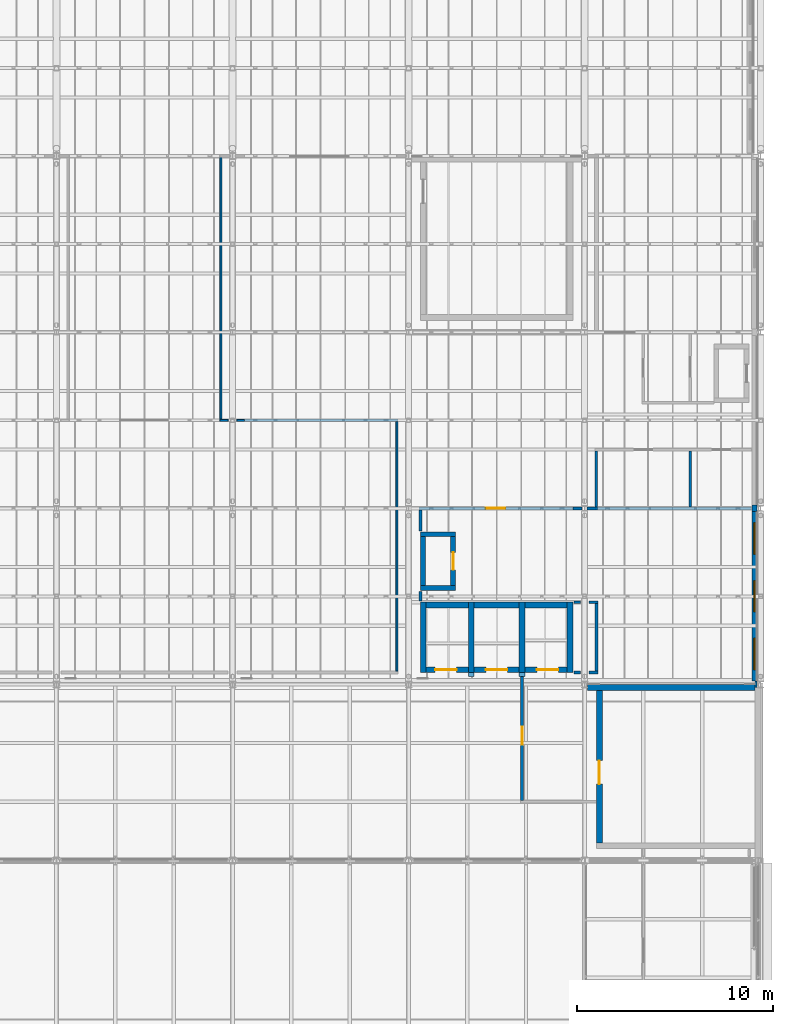
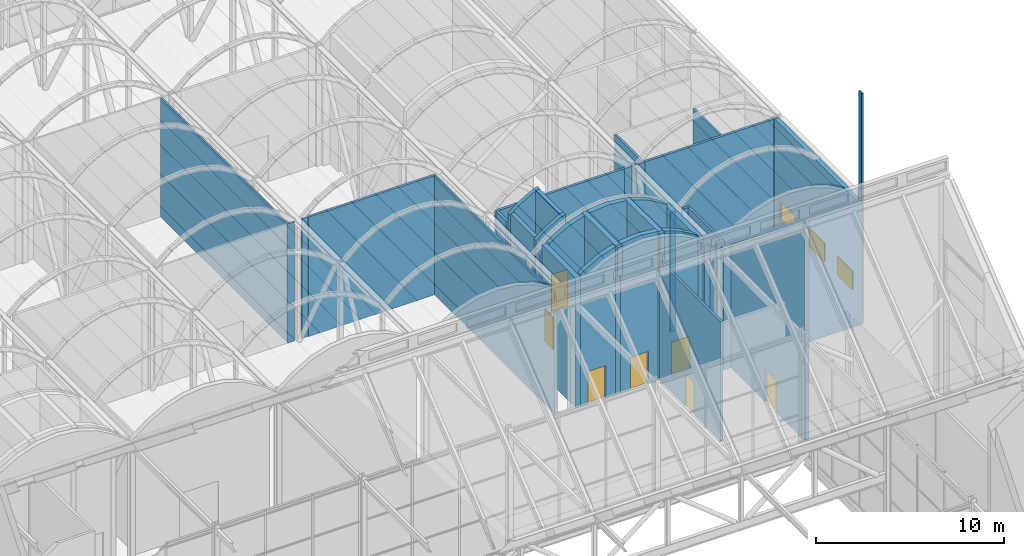
# One storey, part 130 of 144: 40 walls, 7 doors, 3 windows, 10 openings.
"""IFC4 building model written with IfcOpenShell, lengths in metres."""

import ifcopenshell
import ifcopenshell.guid

model = None  # the IFC model being written
_history = None  # IfcOwnerHistory: only IFC2X3 demands one
_inside = {}  # id of a spatial element -> (the spatial element, [elements in it])
_under = {}  # id of a project, library or spatial element -> (it, [spatial elements below it])
_declared = {}  # id of a project -> (the project, [libraries it declares])
_typed = {}  # id of a type object -> (the type object, [elements of that type])
_made_of = {}  # id of a material, layer set ... -> (it, [elements and type objects made of it])


def new_model(schema):
    """Start an empty IFC model of exactly this schema.

    Asked for "IFC4X3", IfcOpenShell would pick the latest addendum, in which some entities
    have other attributes; the version numbers below select the first issue.
    IFC2X3 requires an IfcOwnerHistory on every rooted entity: one is made here for all.
    """
    global model, _history
    if schema == "IFC4X3":
        model = ifcopenshell.file(schema_version=(4, 3, 0, 0))
    else:
        model = ifcopenshell.file(schema=schema)
    _inside.clear()
    _under.clear()
    _declared.clear()
    _typed.clear()
    _made_of.clear()
    _history = None
    if model.schema == "IFC2X3":
        org = make("IfcOrganization", Name="unknown")
        user = make(
            "IfcPersonAndOrganization",
            ThePerson=make("IfcPerson", FamilyName="unknown"),
            TheOrganization=org,
        )
        app = make(
            "IfcApplication",
            ApplicationDeveloper=org,
            Version="unknown",
            ApplicationFullName="unknown",
            ApplicationIdentifier="unknown",
        )
        _history = make(
            "IfcOwnerHistory",
            OwningUser=user,
            OwningApplication=app,
            ChangeAction="ADDED",
            CreationDate=0,
        )
    return model


def make(cls, **values):
    """One entity of the class cls with the attributes given. An attribute that is None is left unset."""
    return model.create_entity(
        cls, **{name: value for name, value in values.items() if value is not None}
    )


def rooted(cls, **values):
    """An entity with a GlobalId (a new one), such as an element, a storey or a relation."""
    return make(cls, GlobalId=ifcopenshell.guid.new(), OwnerHistory=_history, **values)


def si_unit(unit_type, name, prefix=None):
    """IfcSIUnit, for example si_unit("LENGTHUNIT", "METRE", prefix="MILLI")."""
    return make("IfcSIUnit", UnitType=unit_type, Prefix=prefix, Name=name)


def assignment(units):
    """IfcUnitAssignment: the units of a project."""
    return None if units is None else make("IfcUnitAssignment", Units=units)


def point(xyz):
    """IfcCartesianPoint."""
    return None if xyz is None else make("IfcCartesianPoint", Coordinates=xyz)


def direction(xyz):
    """IfcDirection."""
    return None if xyz is None else make("IfcDirection", DirectionRatios=xyz)


def frame(location, z_axis=None, x_axis=None):
    """IfcAxis2Placement3D, a coordinate frame: its origin and axes. An axis left out is left unset."""
    return make(
        "IfcAxis2Placement3D",
        Location=point(location),
        Axis=direction(z_axis),
        RefDirection=direction(x_axis),
    )


def frame_2d(location, x_axis=None):
    """IfcAxis2Placement2D, a coordinate frame in the plane: its origin and x axis."""
    return make(
        "IfcAxis2Placement2D", Location=point(location), RefDirection=direction(x_axis)
    )


def origin():
    """The frame at (0, 0, 0) with its axes left unset."""
    return frame((0.0, 0.0, 0.0))


def place(relative_to, where):
    """IfcLocalPlacement: puts the frame where relative to a parent placement (None: the world)."""
    return make(
        "IfcLocalPlacement", PlacementRelTo=relative_to, RelativePlacement=where
    )


def context(
    kind, dimensions, precision=None, world=None, true_north=None, identifier=None
):
    """IfcGeometricRepresentationContext, for example the 3D "Model" context."""
    return make(
        "IfcGeometricRepresentationContext",
        ContextIdentifier=identifier,
        ContextType=kind,
        CoordinateSpaceDimension=dimensions,
        Precision=precision,
        WorldCoordinateSystem=world,
        TrueNorth=true_north,
    )


def subcontext(parent, identifier, kind, view, scale=None):
    """IfcGeometricRepresentationSubContext, for example "Body" below "Model"."""
    return make(
        "IfcGeometricRepresentationSubContext",
        ContextIdentifier=identifier,
        ContextType=kind,
        ParentContext=parent,
        TargetScale=scale,
        TargetView=view,
    )


def project(units=None, contexts=None):
    """IfcProject with its units and contexts."""
    return rooted(
        "IfcProject",
        Name="project",
        RepresentationContexts=contexts,
        UnitsInContext=assignment(units),
    )


def spatial(cls, under=None, at=None, **own):
    """A site, building, storey or space (cls), placed at a placement, below another one or the project."""
    s = rooted(cls, ObjectPlacement=at, **own)
    if under is not None:
        _under.setdefault(under.id(), (under, []))[1].append(s)
    return s


def polyline(points):
    """IfcPolyline through the points."""
    return make("IfcPolyline", Points=[point(p) for p in points])


def profile(cls, at=None, kind="AREA", **sizes):
    """A parametric profile (cls). Its sizes go by their IFC names, for example OverallWidth=200.0."""
    return make(cls, ProfileType=kind, Position=at, **sizes)


def rectangle(**sizes):
    """IfcRectangleProfileDef."""
    return profile("IfcRectangleProfileDef", **sizes)


def outline(outer, holes=None, kind="AREA"):
    """IfcArbitraryClosedProfileDef: a profile drawn as a closed curve; with holes, ...WithVoids."""
    if holes is None:
        return make("IfcArbitraryClosedProfileDef", ProfileType=kind, OuterCurve=outer)
    return make(
        "IfcArbitraryProfileDefWithVoids",
        ProfileType=kind,
        OuterCurve=outer,
        InnerCurves=holes,
    )


def extrude(swept, where, along, depth):
    """IfcExtrudedAreaSolid: the profile swept, set in the frame where, extruded along a direction by depth."""
    return make(
        "IfcExtrudedAreaSolid",
        SweptArea=swept,
        Position=where,
        ExtrudedDirection=direction(along),
        Depth=depth,
    )


def shape(context_of_items, identifier, shape_type, items):
    """IfcShapeRepresentation: the items that make up one representation, for example the "Body"."""
    return make(
        "IfcShapeRepresentation",
        ContextOfItems=context_of_items,
        RepresentationIdentifier=identifier,
        RepresentationType=shape_type,
        Items=items,
    )


def material(Name=None, Category=None):
    """IfcMaterial."""
    return make("IfcMaterial", Name=Name, Category=Category)


def layer(
    of_material, thickness, ventilated=None, Name=None, Category=None, Priority=None
):
    """IfcMaterialLayer: one layer of a wall or slab, of a material (None: an air gap)."""
    return make(
        "IfcMaterialLayer",
        Material=of_material,
        LayerThickness=thickness,
        IsVentilated=ventilated,
        Name=Name,
        Category=Category,
        Priority=Priority,
    )


def layer_set(layers, Name=None):
    """IfcMaterialLayerSet."""
    return make("IfcMaterialLayerSet", MaterialLayers=layers, LayerSetName=Name)


def made_of(thing, what):
    """Note that an element or type object is made of a material, layer set ...; save() writes the relation."""
    if what is not None:
        _made_of.setdefault(what.id(), (what, []))[1].append(thing)
    return thing


def type_object(cls, material=None, **own):
    """A type object (cls), such as IfcWallType, which elements share."""
    return made_of(rooted(cls, **own), material)


def element(
    cls,
    number,
    at=None,
    inside=None,
    cuts=None,
    type_object=None,
    material=None,
    context=None,
    identifier="Body",
    shape_type=None,
    held_by="IfcProductDefinitionShape",
    body=None,
    shapes=None,
    **own,
):
    """One element of the class cls, such as IfcWall. Its Tag is "e" and its number.

    at: its placement. inside: the storey or other place that contains it. cuts: it is an
    opening in that element (IfcRelVoidsElement). A single representation is given by context,
    identifier, shape_type and body (its items); several are given by shapes. held_by: the class
    of the entity that holds the representations. save() writes the other relations.
    """
    e = rooted(cls, Tag="e%d" % number, ObjectPlacement=at, **own)
    if body is not None:
        shapes = [shape(context, identifier, shape_type, body)]
    if shapes is not None:
        e.Representation = make(held_by, Representations=shapes)
    if inside is not None:
        _inside.setdefault(inside.id(), (inside, []))[1].append(e)
    if cuts is not None:
        rooted(
            "IfcRelVoidsElement", RelatingBuildingElement=cuts, RelatedOpeningElement=e
        )
    if type_object is not None:
        _typed.setdefault(type_object.id(), (type_object, []))[1].append(e)
    return made_of(e, material)


def fill(opening, filler):
    """IfcRelFillsElement: the door or window that sits in an opening."""
    return rooted(
        "IfcRelFillsElement",
        RelatingOpeningElement=opening,
        RelatedBuildingElement=filler,
    )


def aggregate(whole, parts):
    """IfcRelAggregates: a whole, such as a stair, and the parts it consists of."""
    return rooted("IfcRelAggregates", RelatingObject=whole, RelatedObjects=parts)


def save(model, path):
    """Write the relations noted so far, then the file.

    IfcRelAggregates (storeys below a building ...), IfcRelContainedInSpatialStructure (elements
    in a storey), IfcRelDefinesByType, IfcRelAssociatesMaterial and IfcRelDeclares: one each for
    every whole, place, type object, material and project.
    """
    for whole, parts in _under.values():
        aggregate(whole, parts)
    for where, things in _inside.values():
        rooted(
            "IfcRelContainedInSpatialStructure",
            RelatedElements=things,
            RelatingStructure=where,
        )
    for kind, things in _typed.values():
        rooted("IfcRelDefinesByType", RelatedObjects=things, RelatingType=kind)
    for what, things in _made_of.values():
        rooted("IfcRelAssociatesMaterial", RelatedObjects=things, RelatingMaterial=what)
    for by, libraries in _declared.values():
        rooted("IfcRelDeclares", RelatingContext=by, RelatedDefinitions=libraries)
    model.write(path)


model = new_model("IFC4")

# Units and contexts
model_context = context("Model", 3, precision=1e-05, world=origin(), true_north=direction((0.0, 1.0)))
body_context = subcontext(model_context, "Body", "Model", "MODEL_VIEW")
ifc_project = project(units=[si_unit("LENGTHUNIT", "METRE"), si_unit("AREAUNIT", "SQUARE_METRE"), si_unit("VOLUMEUNIT", "CUBIC_METRE"), si_unit("PLANEANGLEUNIT", "RADIAN"), si_unit("MASSUNIT", "GRAM", prefix="KILO")], contexts=[model_context])

# Site, building, storey
site_placement = place(None, origin())
site = spatial("IfcSite", under=ifc_project, at=site_placement, CompositionType="ELEMENT")
building_placement = place(site_placement, origin())
building = spatial("IfcBuilding", under=site, at=building_placement, Name="Shorebreak Coast Museum", CompositionType="ELEMENT")
storey_placement = place(building_placement, frame((0.0, 0.0, 36.0)))
storey = spatial("IfcBuildingStorey", under=building, at=storey_placement, Name="L06", CompositionType="ELEMENT", Elevation=36.0)

# Walls
ifc_material_1 = material(Name="Concrete N50 (50 MPa)", Category="concrete")
ifc_layer_1 = layer(ifc_material_1, 0.1064453125)
ifc_layer_set_1 = layer_set([ifc_layer_1], Name="Concrete N50 (50 MPa)")
wall_type_1 = type_object("IfcWallType", Name="Column closure panel 106", PredefinedType="SOLIDWALL", material=ifc_layer_set_1)
wall_1_placement = place(storey_placement, frame((116.753173828125, 89.83642578125, 0.0), z_axis=(0.0, 0.0, 1.0), x_axis=(0.0, 1.0, 0.0)))
element("IfcWall", 1, at=wall_1_placement, inside=storey, type_object=wall_type_1, Name="Column closure panel L06 E 14L", PredefinedType="SOLIDWALL", context=body_context, shape_type="SweptSolid", body=[
    extrude(rectangle(XDim=0.3271484375, YDim=0.1064453125, at=frame_2d((0.16357421875, 0.0))), origin(), (0.0, 0.0, 1.0), 14.843994140625),
])
ifc_material_2 = material(Name="Concrete N50 (50 MPa)", Category="concrete")
ifc_layer_2 = layer(ifc_material_2, 0.25)
ifc_layer_set_2 = layer_set([ifc_layer_2], Name="Concrete N50 (50 MPa)")
wall_type_2 = type_object("IfcWallType", Name="Column closure panel 250", PredefinedType="SOLIDWALL", material=ifc_layer_set_2)
wall_2_placement = place(storey_placement, frame((116.681396484375, 98.839111328125, 0.0), z_axis=(0.0, 0.0, 1.0), x_axis=(0.0, 1.0, 0.0)))
element("IfcWall", 2, at=wall_2_placement, inside=storey, type_object=wall_type_2, Name="Column closure panel L06 E 14M", PredefinedType="SOLIDWALL", context=body_context, shape_type="SweptSolid", body=[
    extrude(rectangle(XDim=0.32177734375, YDim=0.25, at=frame_2d((0.160888671875, 0.0))), origin(), (0.0, 0.0, 1.0), 7.800048828125),
])
ifc_material_3 = material(Name="Plasterboard on steel stud", Category="steel")
ifc_layer_3 = layer(ifc_material_3, 0.14990234375)
ifc_layer_set_3 = layer_set([ifc_layer_3], Name="Plasterboard on steel stud")
wall_type_3 = type_object("IfcWallType", Name="Fire partition 150", PredefinedType="PARTITIONING", material=ifc_layer_set_3)
wall_3_placement = place(storey_placement, frame((107.449951171875, 90.60009765625, 0.0), z_axis=(0.0, 0.0, 1.0), x_axis=(1.0, 0.0, 0.0)))
element("IfcWall", 3, at=wall_3_placement, inside=storey, type_object=wall_type_3, Name="Partition L06-011", PredefinedType="PARTITIONING", context=body_context, shape_type="SweptSolid", body=[
    extrude(rectangle(XDim=0.330078125, YDim=0.14990234375, at=frame_2d((0.1650390625, 0.0))), origin(), (0.0, 0.0, 1.0), 7.73095703125),
])
wall_4_placement = place(storey_placement, frame((108.219970703125, 90.60009765625, 0.0), z_axis=(0.0, 0.0, 1.0), x_axis=(1.0, 0.0, 0.0)))
element("IfcWall", 4, at=wall_4_placement, inside=storey, type_object=wall_type_3, Name="Partition L06-012", PredefinedType="PARTITIONING", context=body_context, shape_type="SweptSolid", body=[
    extrude(rectangle(XDim=0.455078125, YDim=0.14990234375, at=frame_2d((0.2275390625, 0.0))), origin(), (0.0, 0.0, 1.0), 7.73095703125),
])
wall_5_placement = place(storey_placement, frame((107.449951171875, 94.199951171875, 0.0), z_axis=(0.0, 0.0, 1.0), x_axis=(1.0, 0.0, 0.0)))
element("IfcWall", 5, at=wall_5_placement, inside=storey, type_object=wall_type_3, Name="Partition L06-015", PredefinedType="PARTITIONING", context=body_context, shape_type="SweptSolid", body=[
    extrude(rectangle(XDim=0.330078125, YDim=0.14990234375, at=frame_2d((0.1650390625, 0.0))), origin(), (0.0, 0.0, 1.0), 7.73095703125),
])
wall_6_placement = place(storey_placement, frame((108.219970703125, 94.199951171875, 0.0), z_axis=(0.0, 0.0, 1.0), x_axis=(1.0, 0.0, 0.0)))
element("IfcWall", 6, at=wall_6_placement, inside=storey, type_object=wall_type_3, Name="Partition L06-016", PredefinedType="PARTITIONING", context=body_context, shape_type="SweptSolid", body=[
    extrude(rectangle(XDim=0.455078125, YDim=0.14990234375, at=frame_2d((0.2275390625, 0.0))), origin(), (0.0, 0.0, 1.0), 7.73095703125),
])

# Wall, opening, door
wall_7_placement = place(storey_placement, frame((99.52490234375, 99.0, 0.0), z_axis=(0.0, 0.0, 1.0), x_axis=(1.0, 0.0, 0.0)))
wall_7 = element("IfcWall", 7, at=wall_7_placement, inside=storey, type_object=wall_type_3, Name="Partition L06-021", PredefinedType="PARTITIONING", context=body_context, shape_type="SweptSolid", body=[
    extrude(rectangle(XDim=7.875, YDim=0.14990234375, at=frame_2d((3.9375, 0.0))), origin(), (0.0, 0.0, 1.0), 7.73095703125),
])
opening_1_placement = place(wall_7_placement, frame((3.425048828125, 0.0, 0.0)))
opening_1 = element("IfcOpeningElement", 8, at=opening_1_placement, cuts=wall_7, Name="Opening D6009", PredefinedType="OPENING", context=body_context, shape_type="SweptSolid", body=[
    extrude(rectangle(XDim=1.0, YDim=2.39990234375, at=frame_2d((0.5, 1.199951171875))), frame((0.0, 0.0849609375, 0.0), z_axis=(0.0, -1.0, 0.0), x_axis=(1.0, 0.0, 0.0)), (0.0, 0.0, 1.0), 0.169921875),
])
ifc_material_4 = material(Name="Steel", Category="steel")
door_type_1 = type_object("IfcDoorType", Name="Fire door 1000x2400 60", OperationType="SINGLE_SWING_LEFT", PredefinedType="DOOR", material=ifc_material_4)
door_1_placement = place(opening_1_placement, origin())
door_1 = element("IfcDoor", 9, at=door_1_placement, inside=storey, type_object=door_type_1, Name="Door D6009 Lift Services Room E", OperationType="SINGLE_SWING_LEFT", OverallHeight=2.39990234375, OverallWidth=1.0, PredefinedType="DOOR", context=body_context, shape_type="SweptSolid", body=[
    extrude(rectangle(XDim=1.0, YDim=2.39990234375, at=frame_2d((0.5, 1.199951171875))), frame((0.0, 0.02490234375, 0.0), z_axis=(0.0, -1.0, 0.0), x_axis=(1.0, 0.0, 0.0)), (0.0, 0.0, 1.0), 0.050048828125),
])
fill(opening_1, door_1)

# Walls
wall_8_placement = place(storey_placement, frame((107.400390625, 99.0, 0.0), z_axis=(0.0, 0.0, 1.0), x_axis=(1.0, 0.0, 0.0)))
element("IfcWall", 10, at=wall_8_placement, inside=storey, type_object=wall_type_3, Name="Partition L06-022", PredefinedType="PARTITIONING", context=body_context, shape_type="SweptSolid", body=[
    extrude(rectangle(XDim=0.47265625, YDim=0.14990234375, at=frame_2d((0.236328125, 0.0))), origin(), (0.0, 0.0, 1.0), 7.73095703125),
])
wall_9_placement = place(storey_placement, frame((108.126953125, 99.0, 0.0), z_axis=(0.0, 0.0, 1.0), x_axis=(1.0, 0.0, 0.0)))
element("IfcWall", 11, at=wall_9_placement, inside=storey, type_object=wall_type_3, Name="Partition L06-023", PredefinedType="PARTITIONING", context=body_context, shape_type="SweptSolid", body=[
    extrude(rectangle(XDim=0.53515625, YDim=0.14990234375, at=frame_2d((0.267578125, 0.0))), origin(), (0.0, 0.0, 1.0), 7.73095703125),
])
wall_10_placement = place(storey_placement, frame((108.53759765625, 99.0, 0.0), z_axis=(0.0, 0.0, 1.0), x_axis=(1.0, 0.0, 0.0)))
element("IfcWall", 12, at=wall_10_placement, inside=storey, type_object=wall_type_3, Name="Partition L06-024", PredefinedType="PARTITIONING", context=body_context, shape_type="SweptSolid", body=[
    extrude(rectangle(XDim=7.993896484375, YDim=0.14990234375, at=frame_2d((3.9970703125, 0.0))), origin(), (0.0, 0.0, 1.0), 7.73095703125),
])
wall_11_placement = place(storey_placement, frame((90.60009765625, 103.5, 0.0), z_axis=(0.0, 0.0, 1.0), x_axis=(1.0, 0.0, 0.0)))
element("IfcWall", 13, at=wall_11_placement, inside=storey, type_object=wall_type_3, Name="Partition L06-033", PredefinedType="PARTITIONING", context=body_context, shape_type="SweptSolid", body=[
    extrude(rectangle(XDim=7.849853515625, YDim=0.14990234375, at=frame_2d((3.9248046875, 0.0))), origin(), (0.0, 0.0, 1.0), 7.73095703125),
])
wall_12_placement = place(storey_placement, frame((99.60009765625, 94.25, 0.0), z_axis=(0.0, 0.0, 1.0), x_axis=(0.0, 1.0, 0.0)))
element("IfcWall", 14, at=wall_12_placement, inside=storey, type_object=wall_type_3, Name="Partition L06-070", PredefinedType="PARTITIONING", context=body_context, shape_type="SweptSolid", body=[
    extrude(rectangle(XDim=0.5, YDim=0.14990234375, at=frame_2d((0.25, 0.0))), origin(), (0.0, 0.0, 1.0), 7.73095703125),
])
wall_13_placement = place(storey_placement, frame((99.60009765625, 97.85009765625, 0.0), z_axis=(0.0, 0.0, 1.0), x_axis=(0.0, 1.0, 0.0)))
element("IfcWall", 15, at=wall_13_placement, inside=storey, type_object=wall_type_3, Name="Partition L06-071", PredefinedType="PARTITIONING", context=body_context, shape_type="SweptSolid", body=[
    extrude(rectangle(XDim=1.074951171875, YDim=0.14990234375, at=frame_2d((0.53759765625, 0.0))), origin(), (0.0, 0.0, 1.0), 7.73095703125),
])

# Wall, opening, door
wall_14_placement = place(storey_placement, frame((104.800048828125, 84.074951171875, 0.0), z_axis=(0.0, 0.0, 1.0), x_axis=(0.0, 1.0, 0.0)))
wall_14 = element("IfcWall", 16, at=wall_14_placement, inside=storey, type_object=wall_type_3, Name="Partition L06-073", PredefinedType="PARTITIONING", context=body_context, shape_type="SweptSolid", body=[
    extrude(rectangle(XDim=6.525146484375, YDim=0.14990234375, at=frame_2d((3.2626953125, 0.0))), origin(), (0.0, 0.0, 1.0), 7.743896484375),
])
opening_2_placement = place(wall_14_placement, frame((2.85009765625, 0.0, 0.0)))
opening_2 = element("IfcOpeningElement", 17, at=opening_2_placement, cuts=wall_14, Name="Opening D6002", PredefinedType="OPENING", context=body_context, shape_type="SweptSolid", body=[
    extrude(rectangle(XDim=0.89990234375, YDim=2.10009765625, at=frame_2d((0.449951171875, 1.050048828125))), frame((0.0, 0.0849609375, 0.0), z_axis=(0.0, -1.0, 0.0), x_axis=(1.0, 0.0, 0.0)), (0.0, 0.0, 1.0), 0.169921875),
])
ifc_material_5 = material(Name="Steel", Category="steel")
door_type_2 = type_object("IfcDoorType", Name="Fire door 900x2100 60", OperationType="SINGLE_SWING_LEFT", PredefinedType="DOOR", material=ifc_material_5)
door_2_placement = place(opening_2_placement, origin())
door_2 = element("IfcDoor", 18, at=door_2_placement, inside=storey, type_object=door_type_2, Name="Door D6002 Firefighting Lift Lobby E", OperationType="SINGLE_SWING_RIGHT", OverallHeight=2.10009765625, OverallWidth=0.89990234375, PredefinedType="DOOR", context=body_context, shape_type="SweptSolid", body=[
    extrude(rectangle(XDim=0.89990234375, YDim=2.10009765625, at=frame_2d((0.449951171875, 1.050048828125))), frame((0.0, 0.02490234375, 0.0), z_axis=(0.0, -1.0, 0.0), x_axis=(1.0, 0.0, 0.0)), (0.0, 0.0, 1.0), 0.050048828125),
])
fill(opening_2, door_2)

# Walls
wall_15_placement = place(storey_placement, frame((108.60009765625, 90.675048828125, 0.0), z_axis=(0.0, 0.0, 1.0), x_axis=(0.0, 1.0, 0.0)))
element("IfcWall", 19, at=wall_15_placement, inside=storey, type_object=wall_type_3, Name="Partition L06-074", PredefinedType="PARTITIONING", context=body_context, shape_type="SweptSolid", body=[
    extrude(rectangle(XDim=3.449951171875, YDim=0.14990234375, at=frame_2d((1.72509765625, 0.0))), origin(), (0.0, 0.0, 1.0), 7.73095703125),
])
ifc_material_6 = material(Name="Plasterboard on steel stud", Category="steel")
ifc_layer_4 = layer(ifc_material_6, 0.10009765625)
ifc_layer_set_4 = layer_set([ifc_layer_4], Name="Plasterboard on steel stud")
wall_type_4 = type_object("IfcWallType", Name="Partition 100", PredefinedType="PARTITIONING", material=ifc_layer_set_4)
wall_16_placement = place(storey_placement, frame((89.3505859375, 103.5, 0.0), z_axis=(0.0, 0.0, 1.0), x_axis=(1.0, 0.0, 0.0)))
element("IfcWall", 20, at=wall_16_placement, inside=storey, type_object=wall_type_4, Name="Partition L06-031", PredefinedType="PARTITIONING", context=body_context, shape_type="SweptSolid", body=[
    extrude(rectangle(XDim=0.429443359375, YDim=0.10009765625, at=frame_2d((0.21484375, 0.0))), origin(), (0.0, 0.0, 1.0), 7.73095703125),
])
wall_17_placement = place(storey_placement, frame((90.219970703125, 103.5, 0.0), z_axis=(0.0, 0.0, 1.0), x_axis=(1.0, 0.0, 0.0)))
element("IfcWall", 21, at=wall_17_placement, inside=storey, type_object=wall_type_4, Name="Partition L06-032", PredefinedType="PARTITIONING", context=body_context, shape_type="SweptSolid", body=[
    extrude(rectangle(XDim=0.379638671875, YDim=0.10009765625, at=frame_2d((0.18994140625, 0.0))), origin(), (0.0, 0.0, 1.0), 7.73095703125),
])
wall_18_placement = place(storey_placement, frame((89.39990234375, 103.550048828125, 0.0), z_axis=(0.0, 0.0, 1.0), x_axis=(0.0, 1.0, 0.0)))
element("IfcWall", 22, at=wall_18_placement, inside=storey, type_object=wall_type_4, Name="Partition L06-068", PredefinedType="PARTITIONING", context=body_context, shape_type="SweptSolid", body=[
    extrude(rectangle(XDim=13.39990234375, YDim=0.10009765625, at=frame_2d((6.699951171875, 0.0))), origin(), (0.0, 0.0, 1.0), 7.73095703125),
])
wall_19_placement = place(storey_placement, frame((98.39990234375, 90.675048828125, 0.0), z_axis=(0.0, 0.0, 1.0), x_axis=(0.0, 1.0, 0.0)))
element("IfcWall", 23, at=wall_19_placement, inside=storey, type_object=wall_type_4, Name="Partition L06-069", PredefinedType="PARTITIONING", context=body_context, shape_type="SweptSolid", body=[
    extrude(rectangle(XDim=12.75, YDim=0.10009765625, at=frame_2d((6.375, 0.0))), origin(), (0.0, 0.0, 1.0), 7.73095703125),
])
ifc_material_7 = material(Name="Plasterboard on steel stud", Category="steel")
ifc_layer_5 = layer(ifc_material_7, 0.125)
ifc_layer_set_5 = layer_set([ifc_layer_5], Name="Plasterboard on steel stud")
wall_type_5 = type_object("IfcWallType", Name="Partition 125", PredefinedType="PARTITIONING", material=ifc_layer_set_5)
for number, where, z_axis, x_axis, name in (
    (24, (108.60009765625, 99.074951171875, 0.0), (0.0, 0.0, 1.0), (0.0, 1.0, 0.0), "Partition L06-075"),
    (25, (113.39990234375, 99.074951171875, 0.0), (0.0, 0.0, 1.0), (0.0, 1.0, 0.0), "Partition L06-082"),
):
    element("IfcWall", number, at=place(storey_placement, frame(where, z_axis=z_axis, x_axis=x_axis)), inside=storey, type_object=wall_type_5, Name=name, PredefinedType="PARTITIONING", context=body_context, shape_type="SweptSolid", body=[
        extrude(rectangle(XDim=2.862548828125, YDim=0.125, at=frame_2d((1.43115234375, 0.0))), origin(), (0.0, 0.0, 1.0), 7.73095703125),
    ])

# Wall, openings, windows
ifc_material_8 = material(Name="Concrete N50 (50 MPa)", Category="concrete")
ifc_layer_6 = layer(ifc_material_8, 0.25)
ifc_layer_set_6 = layer_set([ifc_layer_6], Name="Concrete N50 (50 MPa)")
wall_type_6 = type_object("IfcWallType", Name="Precast upper panel 250", PredefinedType="SOLIDWALL", material=ifc_layer_set_6)
wall_20_placement = place(storey_placement, frame((116.681396484375, 90.16357421875, 0.0), z_axis=(0.0, 0.0, 1.0), x_axis=(0.0, 1.0, 0.0)))
wall_20 = element("IfcWall", 26, at=wall_20_placement, inside=storey, type_object=wall_type_6, Name="External wall L06 E 14L", PredefinedType="SOLIDWALL", context=body_context, shape_type="SweptSolid", body=[
    extrude(rectangle(XDim=8.675537109375, YDim=0.25, at=frame_2d((4.337890625, 0.0))), origin(), (0.0, 0.0, 1.0), 7.800048828125),
])
opening_3_placement = place(wall_20_placement, frame((0.58642578125, 0.0, 1.60009765625)))
opening_3 = element("IfcOpeningElement", 27, at=opening_3_placement, cuts=wall_20, Name="Opening WN6001", PredefinedType="OPENING", context=body_context, shape_type="SweptSolid", body=[
    extrude(rectangle(XDim=1.60009765625, YDim=1.199951171875, at=frame_2d((0.800048828125, 0.60009765625))), frame((0.0, 0.135009765625, 0.0), z_axis=(0.0, -1.0, 0.0), x_axis=(1.0, 0.0, 0.0)), (0.0, 0.0, 1.0), 0.27001953125),
])
opening_4_placement = place(wall_20_placement, frame((3.540771484375, 0.0, 1.60009765625)))
opening_4 = element("IfcOpeningElement", 28, at=opening_4_placement, cuts=wall_20, Name="Opening WN6009", PredefinedType="OPENING", context=body_context, shape_type="SweptSolid", body=[
    extrude(rectangle(XDim=1.60009765625, YDim=1.199951171875, at=frame_2d((0.800048828125, 0.60009765625))), frame((0.0, 0.135009765625, 0.0), z_axis=(0.0, -1.0, 0.0), x_axis=(1.0, 0.0, 0.0)), (0.0, 0.0, 1.0), 0.27001953125),
])
opening_5_placement = place(wall_20_placement, frame((6.486328125, 0.0, 1.60009765625)))
opening_5 = element("IfcOpeningElement", 29, at=opening_5_placement, cuts=wall_20, Name="Opening WN6010", PredefinedType="OPENING", context=body_context, shape_type="SweptSolid", body=[
    extrude(rectangle(XDim=1.60009765625, YDim=1.199951171875, at=frame_2d((0.800048828125, 0.60009765625))), frame((0.0, 0.135009765625, 0.0), z_axis=(0.0, -1.0, 0.0), x_axis=(1.0, 0.0, 0.0)), (0.0, 0.0, 1.0), 0.27001953125),
])
ifc_material_9 = material(Name="Aluminium", Category="aluminium")
window_type = type_object("IfcWindowType", Name="Truss-bay window 1600 x 1200", PartitioningType="SINGLE_PANEL", PredefinedType="WINDOW", material=ifc_material_9)
window_1_placement = place(opening_3_placement, origin())
window_1 = element("IfcWindow", 30, at=window_1_placement, inside=storey, type_object=window_type, Name="Window WN6001", OverallHeight=1.199951171875, OverallWidth=1.60009765625, PartitioningType="SINGLE_PANEL", PredefinedType="WINDOW", context=body_context, shape_type="SweptSolid", body=[
    extrude(rectangle(XDim=1.60009765625, YDim=1.199951171875, at=frame_2d((0.800048828125, 0.60009765625))), frame((0.0, 0.030029296875, 0.0), z_axis=(0.0, -1.0, 0.0), x_axis=(1.0, 0.0, 0.0)), (0.0, 0.0, 1.0), 0.06005859375),
])
fill(opening_3, window_1)
window_2_placement = place(opening_4_placement, origin())
window_2 = element("IfcWindow", 31, at=window_2_placement, inside=storey, type_object=window_type, Name="Window WN6009", OverallHeight=1.199951171875, OverallWidth=1.60009765625, PartitioningType="SINGLE_PANEL", PredefinedType="WINDOW", context=body_context, shape_type="SweptSolid", body=[
    extrude(rectangle(XDim=1.60009765625, YDim=1.199951171875, at=frame_2d((0.800048828125, 0.60009765625))), frame((0.0, 0.030029296875, 0.0), z_axis=(0.0, -1.0, 0.0), x_axis=(1.0, 0.0, 0.0)), (0.0, 0.0, 1.0), 0.06005859375),
])
fill(opening_4, window_2)
window_3_placement = place(opening_5_placement, origin())
window_3 = element("IfcWindow", 32, at=window_3_placement, inside=storey, type_object=window_type, Name="Window WN6010", OverallHeight=1.199951171875, OverallWidth=1.60009765625, PartitioningType="SINGLE_PANEL", PredefinedType="WINDOW", context=body_context, shape_type="SweptSolid", body=[
    extrude(rectangle(XDim=1.60009765625, YDim=1.199951171875, at=frame_2d((0.800048828125, 0.60009765625))), frame((0.0, 0.030029296875, 0.0), z_axis=(0.0, -1.0, 0.0), x_axis=(1.0, 0.0, 0.0)), (0.0, 0.0, 1.0), 0.06005859375),
])
fill(opening_5, window_3)

# Walls
ifc_material_10 = material(Name="Concrete N50 (50 MPa)", Category="concrete")
ifc_layer_7 = layer(ifc_material_10, 0.25)
ifc_layer_set_7 = layer_set([ifc_layer_7], Name="Concrete N50 (50 MPa)")
wall_type_7 = type_object("IfcWallType", Name="RC riser wall 250", PredefinedType="STANDARD", material=ifc_layer_set_7)
for number, where, z_axis, x_axis, name in (
    (33, (99.60009765625, 94.925048828125, 0.0), (0.0, 0.0, 1.0), (1.0, 0.0, 0.0), "Riser wall R-LBE L06 S"),
    (34, (99.60009765625, 97.675048828125, 0.0), (0.0, 0.0, 1.0), (1.0, 0.0, 0.0), "Riser wall R-LBE L06 N"),
):
    element("IfcWall", number, at=place(storey_placement, frame(where, z_axis=z_axis, x_axis=x_axis)), inside=storey, type_object=wall_type_7, Name=name, PredefinedType="STANDARD", context=body_context, shape_type="SweptSolid", body=[
        extrude(outline(polyline([(0.0, 0.0), (1.7998046875, 0.0), (1.800048828125, 9.384765625), (1.54296875, 9.30126953125), (1.28564453125, 9.158935546875), (0.514404296875, 8.714599609375), (0.257080078125, 8.501220703125), (0.0, 8.27001953125), (0.0, 0.0)])), frame((0.0, 0.125, 0.0), z_axis=(0.0, -1.0, 0.0), x_axis=(1.0, 0.0, 0.0)), (0.0, 0.0, 1.0), 0.25),
    ])
wall_21_placement = place(storey_placement, frame((99.72509765625, 95.050048828125, 0.0), z_axis=(0.0, 0.0, 1.0), x_axis=(0.0, 1.0, 0.0)))
element("IfcWall", 35, at=wall_21_placement, inside=storey, type_object=wall_type_7, Name="Riser wall R-LBE L06 W", PredefinedType="STANDARD", context=body_context, shape_type="SweptSolid", body=[
    extrude(rectangle(XDim=2.5, YDim=0.25, at=frame_2d((1.25, 0.0))), origin(), (0.0, 0.0, 1.0), 8.38232421875),
])

# Wall, opening, door
wall_22_placement = place(storey_placement, frame((101.27490234375, 95.050048828125, 0.0), z_axis=(0.0, 0.0, 1.0), x_axis=(0.0, 1.0, 0.0)))
wall_22 = element("IfcWall", 36, at=wall_22_placement, inside=storey, type_object=wall_type_7, Name="Riser wall R-LBE L06 E", PredefinedType="STANDARD", context=body_context, shape_type="SweptSolid", body=[
    extrude(rectangle(XDim=2.5, YDim=0.25, at=frame_2d((1.25, 0.0))), origin(), (0.0, 0.0, 1.0), 9.34423828125),
])
opening_6_placement = place(wall_22_placement, frame((0.800048828125, 0.0, 0.0)))
opening_6 = element("IfcOpeningElement", 37, at=opening_6_placement, cuts=wall_22, Name="Opening D6607", PredefinedType="OPENING", context=body_context, shape_type="SweptSolid", body=[
    extrude(rectangle(XDim=0.89990234375, YDim=2.10009765625, at=frame_2d((0.449951171875, 1.050048828125))), frame((0.0, 0.135009765625, 0.0), z_axis=(0.0, -1.0, 0.0), x_axis=(1.0, 0.0, 0.0)), (0.0, 0.0, 1.0), 0.27001953125),
])
ifc_material_11 = material(Name="Steel Grade 300", Category="steel")
door_type_3 = type_object("IfcDoorType", Name="Riser door 900x2100", OperationType="SINGLE_SWING_LEFT", PredefinedType="DOOR", material=ifc_material_11)
door_3_placement = place(opening_6_placement, origin())
door_3 = element("IfcDoor", 38, at=door_3_placement, inside=storey, type_object=door_type_3, Name="Riser door R-LBE L06", OperationType="SINGLE_SWING_LEFT", OverallHeight=2.10009765625, OverallWidth=0.89990234375, PredefinedType="DOOR", context=body_context, shape_type="SweptSolid", body=[
    extrude(rectangle(XDim=0.89990234375, YDim=2.10009765625, at=frame_2d((0.449951171875, 1.050048828125))), frame((0.0, 0.02490234375, 0.0), z_axis=(0.0, -1.0, 0.0), x_axis=(1.0, 0.0, 0.0)), (0.0, 0.0, 1.0), 0.050048828125),
])
fill(opening_6, door_3)

# Wall
ifc_material_12 = material(Name="Concrete N50 (50 MPa)", Category="concrete")
ifc_layer_8 = layer(ifc_material_12, 0.300048828125)
ifc_layer_set_8 = layer_set([ifc_layer_8], Name="Concrete N50 (50 MPa)")
wall_type_8 = type_object("IfcWallType", Name="RC wall 300", PredefinedType="SHEAR", material=ifc_layer_set_8)
wall_23_placement = place(storey_placement, frame((108.155517578125, 89.85009765625, 0.0), z_axis=(0.0, 0.0, 1.0), x_axis=(1.0, 0.0, 0.0)))
element("IfcWall", 39, at=wall_23_placement, inside=storey, type_object=wall_type_8, Name="Stair core wall ST04 L06 N", PredefinedType="SHEAR", context=body_context, shape_type="SweptSolid", body=[
    extrude(rectangle(XDim=8.54443359375, YDim=0.300048828125, at=frame_2d((4.272216796875, 0.0))), origin(), (0.0, 0.0, 1.0), 7.864013671875),
])

# Wall, opening, door
wall_24_placement = place(storey_placement, frame((108.75, 81.89990234375, 0.0), z_axis=(0.0, 0.0, 1.0), x_axis=(0.0, 1.0, 0.0)))
wall_24 = element("IfcWall", 40, at=wall_24_placement, inside=storey, type_object=wall_type_8, Name="Stair core wall ST04 L06 W", PredefinedType="SHEAR", context=body_context, shape_type="SweptSolid", body=[
    extrude(outline(polyline([(0.0, 0.0), (7.800048828125, 0.0), (7.800048828125, 7.98388671875), (0.0, 14.223876953125), (0.0, 0.0)])), frame((0.0, 0.14990234375, 0.0), z_axis=(0.0, -1.0, 0.0), x_axis=(1.0, 0.0, 0.0)), (0.0, 0.0, 1.0), 0.300048828125),
])
opening_7_placement = place(wall_24_placement, frame((3.0, 0.0, 0.0)))
opening_7 = element("IfcOpeningElement", 41, at=opening_7_placement, cuts=wall_24, Name="Opening D6804", PredefinedType="OPENING", context=body_context, shape_type="SweptSolid", body=[
    extrude(rectangle(XDim=1.199951171875, YDim=2.10009765625, at=frame_2d((0.60009765625, 1.050048828125))), frame((0.0, 0.159912109375, 0.0), z_axis=(0.0, -1.0, 0.0), x_axis=(1.0, 0.0, 0.0)), (0.0, 0.0, 1.0), 0.320068359375),
])
ifc_material_13 = material(Name="Steel Grade 300", Category="steel")
door_type_4 = type_object("IfcDoorType", Name="Fire door 1200x2100", OperationType="SINGLE_SWING_LEFT", PredefinedType="DOOR", material=ifc_material_13)
door_4_placement = place(opening_7_placement, origin())
door_4 = element("IfcDoor", 42, at=door_4_placement, inside=storey, type_object=door_type_4, Name="Stair door ST04 L06", OperationType="SINGLE_SWING_LEFT", OverallHeight=2.10009765625, OverallWidth=1.199951171875, PredefinedType="DOOR", context=body_context, shape_type="SweptSolid", body=[
    extrude(rectangle(XDim=1.199951171875, YDim=2.10009765625, at=frame_2d((0.60009765625, 1.050048828125))), frame((0.0, 0.02490234375, 0.0), z_axis=(0.0, -1.0, 0.0), x_axis=(1.0, 0.0, 0.0)), (0.0, 0.0, 1.0), 0.050048828125),
])
fill(opening_7, door_4)

# Walls
wall_25_placement = place(storey_placement, frame((99.75, 90.60009765625, 0.0), z_axis=(0.0, 0.0, 1.0), x_axis=(0.0, 1.0, 0.0)))
element("IfcWall", 43, at=wall_25_placement, inside=storey, type_object=wall_type_8, Name="Lift shaft wall LBE L06 1", PredefinedType="SHEAR", context=body_context, shape_type="SweptSolid", body=[
    extrude(rectangle(XDim=3.599853515625, YDim=0.300048828125, at=frame_2d((1.7998046875, 0.0))), origin(), (0.0, 0.0, 1.0), 8.40478515625),
])
for number, where, z_axis, x_axis, name in (
    (44, (102.199951171875, 90.60009765625, 0.0), (0.0, 0.0, 1.0), (0.0, 1.0, 0.0), "Lift shaft wall LBE L06 2"),
    (45, (104.800048828125, 90.60009765625, 0.0), (0.0, 0.0, 1.0), (0.0, 1.0, 0.0), "Lift shaft wall LBE L06 3"),
):
    element("IfcWall", number, at=place(storey_placement, frame(where, z_axis=z_axis, x_axis=x_axis)), inside=storey, type_object=wall_type_8, Name=name, PredefinedType="SHEAR", context=body_context, shape_type="SweptSolid", body=[
        extrude(rectangle(XDim=3.599853515625, YDim=0.300048828125, at=frame_2d((1.7998046875, 0.0))), origin(), (0.0, 0.0, 1.0), 9.644287109375),
    ])
wall_26_placement = place(storey_placement, frame((107.25, 90.60009765625, 0.0), z_axis=(0.0, 0.0, 1.0), x_axis=(0.0, 1.0, 0.0)))
element("IfcWall", 46, at=wall_26_placement, inside=storey, type_object=wall_type_8, Name="Lift shaft wall LBE L06 4", PredefinedType="SHEAR", context=body_context, shape_type="SweptSolid", body=[
    extrude(rectangle(XDim=3.599853515625, YDim=0.300048828125, at=frame_2d((1.7998046875, 0.0))), origin(), (0.0, 0.0, 1.0), 8.40478515625),
])
for number, where, z_axis, x_axis, name in (
    (47, (102.199951171875, 90.60009765625, 7.800048828125), (0.0, 0.0, 1.0), (0.0, -1.0, 0.0), "Lift shaft overrun return LBE L06 2"),
    (48, (104.800048828125, 90.60009765625, 7.800048828125), (0.0, 0.0, 1.0), (0.0, -1.0, 0.0), "Lift shaft overrun return LBE L06 3"),
):
    element("IfcWall", number, at=place(storey_placement, frame(where, z_axis=z_axis, x_axis=x_axis)), inside=storey, type_object=wall_type_8, Name=name, PredefinedType="SHEAR", context=body_context, shape_type="SweptSolid", body=[
        extrude(rectangle(XDim=0.190185546875, YDim=0.300048828125, at=frame_2d((0.09521484375, 0.0))), origin(), (0.0, 0.0, 1.0), 1.84423828125),
    ])

# Wall, opening, door
wall_27_placement = place(storey_placement, frame((99.89990234375, 90.75, 0.0), z_axis=(0.0, 0.0, 1.0), x_axis=(1.0, 0.0, 0.0)))
wall_27 = element("IfcWall", 49, at=wall_27_placement, inside=storey, type_object=wall_type_8, Name="Lift shaft wall P3 L06 F", PredefinedType="SHEAR", context=body_context, shape_type="SweptSolid", body=[
    extrude(outline(polyline([(0.0, 0.0), (2.150146484375, 0.0), (2.14990234375, 9.595703125), (1.34375, 9.333984375), (1.074951171875, 9.21044921875), (0.268798828125, 8.745849609375), (0.0, 8.53955078125), (0.0, 0.0)])), frame((0.0, 0.14990234375, 0.0), z_axis=(0.0, -1.0, 0.0), x_axis=(1.0, 0.0, 0.0)), (0.0, 0.0, 1.0), 0.300048828125),
])
opening_8_placement = place(wall_27_placement, frame((0.449951171875, 0.0, 0.0)))
opening_8 = element("IfcOpeningElement", 50, at=opening_8_placement, cuts=wall_27, Name="Opening LD6-P3", PredefinedType="OPENING", context=body_context, shape_type="SweptSolid", body=[
    extrude(rectangle(XDim=1.10009765625, YDim=2.10009765625, at=frame_2d((0.550048828125, 1.050048828125))), frame((0.0, 0.159912109375, 0.0), z_axis=(0.0, -1.0, 0.0), x_axis=(1.0, 0.0, 0.0)), (0.0, 0.0, 1.0), 0.320068359375),
])
ifc_material_14 = material(Name="Steel Grade 300", Category="steel")
door_type_5 = type_object("IfcDoorType", Name="Landing door 1100x2100", OperationType="DOUBLE_DOOR_SLIDING", PredefinedType="DOOR", material=ifc_material_14)
door_5_placement = place(opening_8_placement, origin())
door_5 = element("IfcDoor", 51, at=door_5_placement, inside=storey, type_object=door_type_5, Name="Landing door P3 L06", OperationType="DOUBLE_DOOR_SLIDING", OverallHeight=2.10009765625, OverallWidth=1.10009765625, PredefinedType="DOOR", context=body_context, shape_type="SweptSolid", body=[
    extrude(rectangle(XDim=1.10009765625, YDim=2.10009765625, at=frame_2d((0.550048828125, 1.050048828125))), frame((0.0, 0.02490234375, 0.0), z_axis=(0.0, -1.0, 0.0), x_axis=(1.0, 0.0, 0.0)), (0.0, 0.0, 1.0), 0.050048828125),
])
fill(opening_8, door_5)

# Wall
wall_28_placement = place(storey_placement, frame((99.89990234375, 94.050048828125, 0.0), z_axis=(0.0, 0.0, 1.0), x_axis=(1.0, 0.0, 0.0)))
element("IfcWall", 52, at=wall_28_placement, inside=storey, type_object=wall_type_8, Name="Lift shaft wall P3 L06 B", PredefinedType="SHEAR", context=body_context, shape_type="SweptSolid", body=[
    extrude(outline(polyline([(0.0, 0.0), (2.150146484375, 0.0), (2.14990234375, 9.595703125), (1.34375, 9.333984375), (1.074951171875, 9.21044921875), (0.268798828125, 8.745849609375), (0.0, 8.53955078125), (0.0, 0.0)])), frame((0.0, 0.14990234375, 0.0), z_axis=(0.0, -1.0, 0.0), x_axis=(1.0, 0.0, 0.0)), (0.0, 0.0, 1.0), 0.300048828125),
])

# Wall, opening, door
wall_29_placement = place(storey_placement, frame((102.35009765625, 90.75, 0.0), z_axis=(0.0, 0.0, 1.0), x_axis=(1.0, 0.0, 0.0)))
wall_29 = element("IfcWall", 53, at=wall_29_placement, inside=storey, type_object=wall_type_8, Name="Lift shaft wall P4 L06 F", PredefinedType="SHEAR", context=body_context, shape_type="SweptSolid", body=[
    extrude(outline(polyline([(0.0, 0.0), (2.2998046875, 0.0), (2.300048828125, 9.67822265625), (1.27783203125, 9.785400390625), (1.022216796875, 9.785400390625), (0.0, 9.67822265625), (0.0, 0.0)])), frame((0.0, 0.14990234375, 0.0), z_axis=(0.0, -1.0, 0.0), x_axis=(1.0, 0.0, 0.0)), (0.0, 0.0, 1.0), 0.300048828125),
])
opening_9_placement = place(wall_29_placement, frame((0.60009765625, 0.0, 0.0)))
opening_9 = element("IfcOpeningElement", 54, at=opening_9_placement, cuts=wall_29, Name="Opening LD6-P4", PredefinedType="OPENING", context=body_context, shape_type="SweptSolid", body=[
    extrude(rectangle(XDim=1.10009765625, YDim=2.10009765625, at=frame_2d((0.550048828125, 1.050048828125))), frame((0.0, 0.159912109375, 0.0), z_axis=(0.0, -1.0, 0.0), x_axis=(1.0, 0.0, 0.0)), (0.0, 0.0, 1.0), 0.320068359375),
])
door_6_placement = place(opening_9_placement, origin())
door_6 = element("IfcDoor", 55, at=door_6_placement, inside=storey, type_object=door_type_5, Name="Landing door P4 L06", OperationType="DOUBLE_DOOR_SLIDING", OverallHeight=2.10009765625, OverallWidth=1.10009765625, PredefinedType="DOOR", context=body_context, shape_type="SweptSolid", body=[
    extrude(rectangle(XDim=1.10009765625, YDim=2.10009765625, at=frame_2d((0.550048828125, 1.050048828125))), frame((0.0, 0.02490234375, 0.0), z_axis=(0.0, -1.0, 0.0), x_axis=(1.0, 0.0, 0.0)), (0.0, 0.0, 1.0), 0.050048828125),
])
fill(opening_9, door_6)

# Wall
wall_30_placement = place(storey_placement, frame((102.35009765625, 94.050048828125, 0.0), z_axis=(0.0, 0.0, 1.0), x_axis=(1.0, 0.0, 0.0)))
element("IfcWall", 56, at=wall_30_placement, inside=storey, type_object=wall_type_8, Name="Lift shaft wall P4 L06 B", PredefinedType="SHEAR", context=body_context, shape_type="SweptSolid", body=[
    extrude(outline(polyline([(0.0, 0.0), (2.2998046875, 0.0), (2.300048828125, 9.67822265625), (1.27783203125, 9.785400390625), (1.022216796875, 9.785400390625), (0.0, 9.67822265625), (0.0, 0.0)])), frame((0.0, 0.14990234375, 0.0), z_axis=(0.0, -1.0, 0.0), x_axis=(1.0, 0.0, 0.0)), (0.0, 0.0, 1.0), 0.300048828125),
])

# Wall, opening, door
wall_31_placement = place(storey_placement, frame((104.949951171875, 90.75, 0.0), z_axis=(0.0, 0.0, 1.0), x_axis=(1.0, 0.0, 0.0)))
wall_31 = element("IfcWall", 57, at=wall_31_placement, inside=storey, type_object=wall_type_8, Name="Lift shaft wall FL2 L06 F", PredefinedType="SHEAR", context=body_context, shape_type="SweptSolid", body=[
    extrude(outline(polyline([(0.0, 0.0), (2.150146484375, 0.0), (2.14990234375, 8.53955078125), (1.881103515625, 8.745849609375), (1.074951171875, 9.21044921875), (0.80615234375, 9.333984375), (0.0, 9.595703125), (0.0, 0.0)])), frame((0.0, 0.14990234375, 0.0), z_axis=(0.0, -1.0, 0.0), x_axis=(1.0, 0.0, 0.0)), (0.0, 0.0, 1.0), 0.300048828125),
])
opening_10_placement = place(wall_31_placement, frame((0.60009765625, 0.0, 0.0)))
opening_10 = element("IfcOpeningElement", 58, at=opening_10_placement, cuts=wall_31, Name="Opening LD6-FL2", PredefinedType="OPENING", context=body_context, shape_type="SweptSolid", body=[
    extrude(rectangle(XDim=1.10009765625, YDim=2.10009765625, at=frame_2d((0.550048828125, 1.050048828125))), frame((0.0, 0.159912109375, 0.0), z_axis=(0.0, -1.0, 0.0), x_axis=(1.0, 0.0, 0.0)), (0.0, 0.0, 1.0), 0.320068359375),
])
door_7_placement = place(opening_10_placement, origin())
door_7 = element("IfcDoor", 59, at=door_7_placement, inside=storey, type_object=door_type_5, Name="Landing door FL2 L06", OperationType="DOUBLE_DOOR_SLIDING", OverallHeight=2.10009765625, OverallWidth=1.10009765625, PredefinedType="DOOR", context=body_context, shape_type="SweptSolid", body=[
    extrude(rectangle(XDim=1.10009765625, YDim=2.10009765625, at=frame_2d((0.550048828125, 1.050048828125))), frame((0.0, 0.02490234375, 0.0), z_axis=(0.0, -1.0, 0.0), x_axis=(1.0, 0.0, 0.0)), (0.0, 0.0, 1.0), 0.050048828125),
])
fill(opening_10, door_7)

# Wall
wall_32_placement = place(storey_placement, frame((104.949951171875, 94.050048828125, 0.0), z_axis=(0.0, 0.0, 1.0), x_axis=(1.0, 0.0, 0.0)))
element("IfcWall", 60, at=wall_32_placement, inside=storey, type_object=wall_type_8, Name="Lift shaft wall FL2 L06 B", PredefinedType="SHEAR", context=body_context, shape_type="SweptSolid", body=[
    extrude(outline(polyline([(0.0, 0.0), (2.150146484375, 0.0), (2.14990234375, 8.53955078125), (1.881103515625, 8.745849609375), (1.074951171875, 9.21044921875), (0.80615234375, 9.333984375), (0.0, 9.595703125), (0.0, 0.0)])), frame((0.0, 0.14990234375, 0.0), z_axis=(0.0, -1.0, 0.0), x_axis=(1.0, 0.0, 0.0)), (0.0, 0.0, 1.0), 0.300048828125),
])

save(model, "model.ifc")
